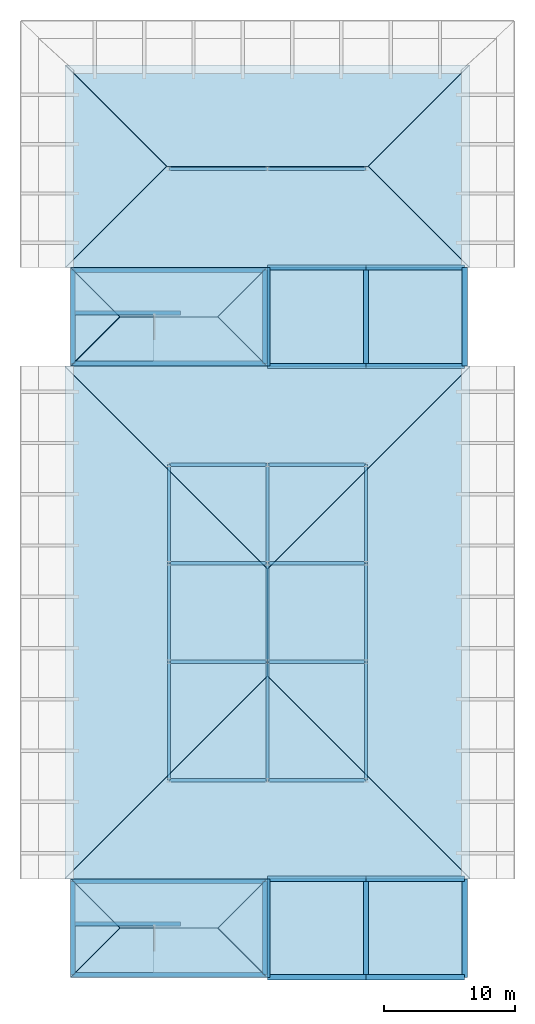
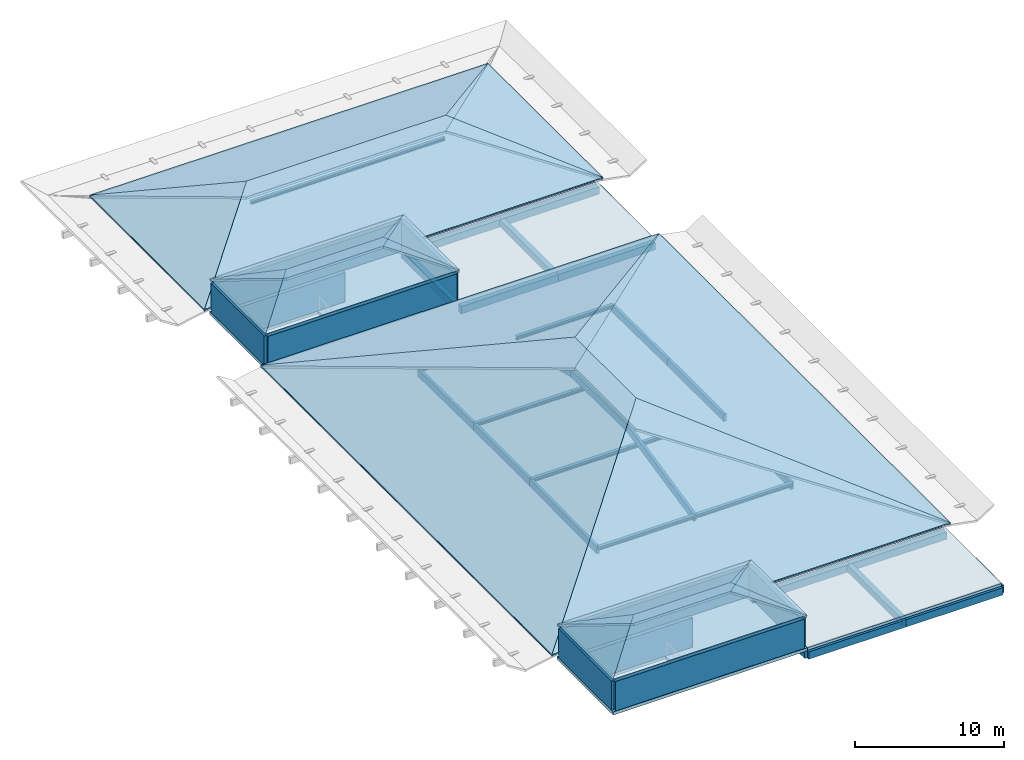
# One storey, part 3 of 4: 23 beams, 20 slabs, 16 roofs, 10 members, 10 walls, 4 elements without a shape of their own.
"""IFC4 building model written with IfcOpenShell, lengths in metres."""

from ifc_helpers import new_model, si_unit, direction, frame, frame_2d, origin, origin_2d, place, context, subcontext, project, spatial, polyline, rectangle, i_section, outline, extrude, material, layer, layer_set, material_profile, profile_set, type_object, element, aggregate, save


model = new_model("IFC4")

# Units and contexts
model_context = context("Model", 3, precision=1e-05, world=origin(), true_north=direction((0.0, 1.0)))
body_context = subcontext(model_context, "Body", "Model", "MODEL_VIEW")
ifc_project = project(units=[si_unit("LENGTHUNIT", "METRE"), si_unit("AREAUNIT", "SQUARE_METRE"), si_unit("VOLUMEUNIT", "CUBIC_METRE"), si_unit("PLANEANGLEUNIT", "RADIAN"), si_unit("MASSUNIT", "GRAM", prefix="KILO")], contexts=[model_context])

# Site, building, storey
site_placement = place(None, origin())
site = spatial("IfcSite", under=ifc_project, at=site_placement, CompositionType="ELEMENT")
building_placement = place(site_placement, origin())
building = spatial("IfcBuilding", under=site, at=building_placement, Name="Dalvernix Boulevard General Hospital", CompositionType="ELEMENT")
storey_placement = place(building_placement, frame((0.0, 0.0, 34.050048828125)))
storey = spatial("IfcBuildingStorey", under=building, at=storey_placement, Name="RF", CompositionType="ELEMENT", Elevation=34.050048828125)

# Beams
ifc_material_1 = material(Name="Concrete C35/45", Category="concrete")
ifc_material_profile_1 = material_profile(ifc_material_1, rectangle(XDim=0.39990234375, YDim=0.550048828125, at=origin_2d()), Name="RCB 400x550")
ifc_profile_set_1 = profile_set([ifc_material_profile_1], Name="Concrete C35/45")
beam_type_1 = type_object("IfcBeamType", Name="BM-B-06-I", PredefinedType="BEAM", material=ifc_profile_set_1)
for number, where, z_axis, x_axis, name in (
    (1, (22.5, 7.5, -0.4951171875), (0.0, 1.0, 0.0), (-1.0, 0.0, 0.0), "RF N-S girder 4:B-C"),
    (2, (22.5, 54.0, -0.4951171875), (0.0, 1.0, 0.0), (-1.0, 0.0, 0.0), "RF N-S girder 4:H-J"),
):
    element("IfcBeam", number, at=place(storey_placement, frame(where, z_axis=z_axis, x_axis=x_axis)), inside=storey, type_object=beam_type_1, Name=name, PredefinedType="BEAM", context=body_context, shape_type="SweptSolid", body=[
        extrude(rectangle(XDim=0.39990234375, YDim=0.550048828125, at=origin_2d()), origin(), (0.0, 0.0, 1.0), 7.5),
    ])
ifc_material_2 = material(Name="Glulam GL28h", Category="wood")
ifc_material_profile_2 = material_profile(ifc_material_2, rectangle(XDim=0.219970703125, YDim=0.60009765625, at=origin_2d()), Name="GL28h 220x600")
ifc_profile_set_2 = profile_set([ifc_material_profile_2], Name="Glulam GL28h")
beam_type_2 = type_object("IfcBeamType", Name="BM-GB-T2", PredefinedType="JOIST", material=ifc_profile_set_2)
beam_1_placement = place(storey_placement, frame((7.5, 22.5, 1.51171875), z_axis=(0.0, 0.999940250227, 0.010931421464), x_axis=(-1.0, 0.0, 0.0)))
element("IfcBeam", 3, at=beam_1_placement, inside=storey, type_object=beam_type_2, Name="V4-MID pitched glulam rafter 2:D-E", PredefinedType="JOIST", context=body_context, shape_type="SweptSolid", body=[
    extrude(rectangle(XDim=0.219970703125, YDim=0.60009765625, at=origin_2d()), origin(), (0.0, 0.0, 1.0), 9.00048828125),
])
beam_2_placement = place(storey_placement, frame((7.5, 31.5, 1.610107421875), z_axis=(0.0, 1.0, 0.0), x_axis=(-1.0, 0.0, 0.0)))
element("IfcBeam", 4, at=beam_2_placement, inside=storey, type_object=beam_type_2, Name="V4-MID pitched glulam rafter 2:E-F", PredefinedType="JOIST", context=body_context, shape_type="SweptSolid", body=[
    extrude(rectangle(XDim=0.219970703125, YDim=0.60009765625, at=origin_2d()), origin(), (0.0, 0.0, 1.0), 7.5),
])
beam_3_placement = place(storey_placement, frame((7.5, 39.0, 1.610107421875), z_axis=(0.0, 0.99991396372, -0.013117360917), x_axis=(-1.0, 0.0, 0.0)))
element("IfcBeam", 5, at=beam_3_placement, inside=storey, type_object=beam_type_2, Name="V4-MID pitched glulam rafter 2:F-G", PredefinedType="JOIST", context=body_context, shape_type="SweptSolid", body=[
    extrude(rectangle(XDim=0.219970703125, YDim=0.60009765625, at=origin_2d()), origin(), (0.0, 0.0, 1.0), 7.500732421875),
])
beam_4_placement = place(storey_placement, frame((15.0, 22.5, 1.51171875), z_axis=(0.0, 0.977537758083, 0.21076036516), x_axis=(-1.0, 0.0, 0.0)))
element("IfcBeam", 6, at=beam_4_placement, inside=storey, type_object=beam_type_2, Name="V4-MID pitched glulam rafter 3:D-E", PredefinedType="JOIST", context=body_context, shape_type="SweptSolid", body=[
    extrude(rectangle(XDim=0.219970703125, YDim=0.60009765625, at=origin_2d()), origin(), (0.0, 0.0, 1.0), 9.206787109375),
])
beam_5_placement = place(storey_placement, frame((15.0, 31.5, 3.4521484375), z_axis=(0.0, 0.999914390115, -0.013084817214), x_axis=(-1.0, 0.0, 0.0)))
element("IfcBeam", 7, at=beam_5_placement, inside=storey, type_object=beam_type_2, Name="V4-MID pitched glulam rafter 3:E-F", PredefinedType="JOIST", context=body_context, shape_type="SweptSolid", body=[
    extrude(rectangle(XDim=0.219970703125, YDim=0.60009765625, at=origin_2d()), origin(), (0.0, 0.0, 1.0), 7.500732421875),
])
beam_6_placement = place(storey_placement, frame((15.0, 39.0, 3.35400390625), z_axis=(0.0, 0.971131026357, -0.238546703284), x_axis=(-1.0, 0.0, 0.0)))
element("IfcBeam", 8, at=beam_6_placement, inside=storey, type_object=beam_type_2, Name="V4-MID pitched glulam rafter 3:F-G", PredefinedType="JOIST", context=body_context, shape_type="SweptSolid", body=[
    extrude(rectangle(XDim=0.219970703125, YDim=0.60009765625, at=origin_2d()), origin(), (0.0, 0.0, 1.0), 7.722900390625),
])
beam_7_placement = place(storey_placement, frame((22.5, 22.5, 1.51171875), z_axis=(0.0, 0.999940250227, 0.010931421464), x_axis=(-1.0, 0.0, 0.0)))
element("IfcBeam", 9, at=beam_7_placement, inside=storey, type_object=beam_type_2, Name="V4-MID pitched glulam rafter 4:D-E", PredefinedType="JOIST", context=body_context, shape_type="SweptSolid", body=[
    extrude(rectangle(XDim=0.219970703125, YDim=0.60009765625, at=origin_2d()), origin(), (0.0, 0.0, 1.0), 9.00048828125),
])
beam_8_placement = place(storey_placement, frame((22.5, 31.5, 1.610107421875), z_axis=(0.0, 1.0, 0.0), x_axis=(-1.0, 0.0, 0.0)))
element("IfcBeam", 10, at=beam_8_placement, inside=storey, type_object=beam_type_2, Name="V4-MID pitched glulam rafter 4:E-F", PredefinedType="JOIST", context=body_context, shape_type="SweptSolid", body=[
    extrude(rectangle(XDim=0.219970703125, YDim=0.60009765625, at=origin_2d()), origin(), (0.0, 0.0, 1.0), 7.5),
])
beam_9_placement = place(storey_placement, frame((22.5, 39.0, 1.610107421875), z_axis=(0.0, 0.99991396372, -0.013117360917), x_axis=(-1.0, 0.0, 0.0)))
element("IfcBeam", 11, at=beam_9_placement, inside=storey, type_object=beam_type_2, Name="V4-MID pitched glulam rafter 4:F-G", PredefinedType="JOIST", context=body_context, shape_type="SweptSolid", body=[
    extrude(rectangle(XDim=0.219970703125, YDim=0.60009765625, at=origin_2d()), origin(), (0.0, 0.0, 1.0), 7.500732421875),
])
ifc_material_profile_3 = material_profile(ifc_material_1, rectangle(XDim=0.39990234375, YDim=0.60009765625, at=origin_2d()), Name="RCB 400x600")
ifc_profile_set_3 = profile_set([ifc_material_profile_3], Name="Concrete C35/45")
beam_type_3 = type_object("IfcBeamType", Name="BM-SB-02-E", PredefinedType="SPANDREL", material=ifc_profile_set_3)
for number, where, z_axis, x_axis, name in (
    (12, (15.0, 7.5, -0.52001953125), (1.0, 0.0, 0.0), (0.0, 1.0, 0.0), "RF E-W girder B:3-4"),
    (13, (22.5, 7.5, -0.52001953125), (1.0, 0.0, 0.0), (0.0, 1.0, 0.0), "RF E-W girder B:4-5"),
    (14, (15.0, 15.0, -0.52001953125), (1.0, 0.0, 0.0), (0.0, 1.0, 0.0), "RF E-W girder C:3-4"),
    (15, (22.5, 15.0, -0.52001953125), (1.0, 0.0, 0.0), (0.0, 1.0, 0.0), "RF E-W girder C:4-5"),
    (16, (15.0, 54.0, -0.52001953125), (1.0, 0.0, 0.0), (0.0, 1.0, 0.0), "RF E-W girder H:3-4"),
    (17, (22.5, 54.0, -0.52001953125), (1.0, 0.0, 0.0), (0.0, 1.0, 0.0), "RF E-W girder H:4-5"),
    (18, (15.0, 61.5, -0.52001953125), (1.0, 0.0, 0.0), (0.0, 1.0, 0.0), "RF E-W girder J:3-4"),
    (19, (22.5, 61.5, -0.52001953125), (1.0, 0.0, 0.0), (0.0, 1.0, 0.0), "RF E-W girder J:4-5"),
    (20, (15.0, 7.5, -0.52001953125), (0.0, 1.0, 0.0), (-1.0, 0.0, 0.0), "RF N-S girder 3:B-C"),
    (21, (15.0, 54.0, -0.52001953125), (0.0, 1.0, 0.0), (-1.0, 0.0, 0.0), "RF N-S girder 3:H-J"),
    (22, (30.0, 7.5, -0.52001953125), (0.0, 1.0, 0.0), (-1.0, 0.0, 0.0), "RF N-S girder 5:B-C"),
    (23, (30.0, 54.0, -0.52001953125), (0.0, 1.0, 0.0), (-1.0, 0.0, 0.0), "RF N-S girder 5:H-J"),
):
    element("IfcBeam", number, at=place(storey_placement, frame(where, z_axis=z_axis, x_axis=x_axis)), inside=storey, type_object=beam_type_3, Name=name, PredefinedType="SPANDREL", context=body_context, shape_type="SweptSolid", body=[
        extrude(rectangle(XDim=0.39990234375, YDim=0.60009765625, at=origin_2d()), origin(), (0.0, 0.0, 1.0), 7.5),
    ])

# Members
ifc_material_3 = material(Name="Steel S355", Category="steel")
ifc_material_profile_4 = material_profile(ifc_material_3, i_section(OverallWidth=0.280029296875, OverallDepth=0.280029296875, WebThickness=0.010498046875, FlangeThickness=0.01806640625, FilletRadius=0.02392578125, at=origin_2d()), Name="HEB 280")
ifc_profile_set_4 = profile_set([ifc_material_profile_4], Name="Steel S355")
member_type_1 = type_object("IfcMemberType", Name="MEM-PR-08", PredefinedType="PURLIN", material=ifc_profile_set_4)
for number, where, z_axis, x_axis, name in (
    (24, (7.5, 22.5, 1.681640625), (1.0, 0.0, 0.0), (0.0, 1.0, 0.0), "V4-MID attic purlin 2-3:D"),
    (25, (7.5, 31.5, 1.780029296875), (1.0, 0.0, 0.0), (0.0, 1.0, 0.0), "V4-MID attic purlin 2-3:E"),
    (26, (7.5, 39.0, 1.780029296875), (1.0, 0.0, 0.0), (0.0, 1.0, 0.0), "V4-MID attic purlin 2-3:F"),
    (27, (7.5, 46.5, 1.681640625), (1.0, 0.0, 0.0), (0.0, 1.0, 0.0), "V4-MID attic purlin 2-3:G"),
    (28, (15.0, 22.5, 1.681640625), (1.0, 0.0, 0.0), (0.0, 1.0, 0.0), "V4-MID attic purlin 3-4:D"),
    (29, (15.0, 31.5, 1.780029296875), (1.0, 0.0, 0.0), (0.0, 1.0, 0.0), "V4-MID attic purlin 3-4:E"),
    (30, (15.0, 39.0, 1.780029296875), (1.0, 0.0, 0.0), (0.0, 1.0, 0.0), "V4-MID attic purlin 3-4:F"),
    (31, (15.0, 46.5, 1.681640625), (1.0, 0.0, 0.0), (0.0, 1.0, 0.0), "V4-MID attic purlin 3-4:G"),
):
    element("IfcMember", number, at=place(storey_placement, frame(where, z_axis=z_axis, x_axis=x_axis)), inside=storey, type_object=member_type_1, Name=name, PredefinedType="PURLIN", context=body_context, shape_type="SweptSolid", body=[
        extrude(i_section(OverallWidth=0.280029296875, OverallDepth=0.280029296875, WebThickness=0.010498046875, FlangeThickness=0.01806640625, FilletRadius=0.02392578125, at=origin_2d()), origin(), (0.0, 0.0, 1.0), 7.5),
    ])
ifc_material_profile_5 = material_profile(ifc_material_3, i_section(OverallWidth=0.239990234375, OverallDepth=0.22998046875, WebThickness=0.007568359375, FlangeThickness=0.011962890625, FilletRadius=0.02099609375, at=origin_2d()), Name="HEA 240")
ifc_profile_set_5 = profile_set([ifc_material_profile_5], Name="Steel S355")
member_type_2 = type_object("IfcMemberType", Name="MEM-PR-09", PredefinedType="PURLIN", material=ifc_profile_set_5)
for number, where, z_axis, x_axis, name in (
    (32, (7.5, 69.0, 1.706787109375), (1.0, 0.0, 0.0), (0.0, 1.0, 0.0), "V4-NTH attic purlin 2-3:K"),
    (33, (15.0, 69.0, 1.706787109375), (1.0, 0.0, 0.0), (0.0, 1.0, 0.0), "V4-NTH attic purlin 3-4:K"),
):
    element("IfcMember", number, at=place(storey_placement, frame(where, z_axis=z_axis, x_axis=x_axis)), inside=storey, type_object=member_type_2, Name=name, PredefinedType="PURLIN", context=body_context, shape_type="SweptSolid", body=[
        extrude(i_section(OverallWidth=0.239990234375, OverallDepth=0.22998046875, WebThickness=0.007568359375, FlangeThickness=0.011962890625, FilletRadius=0.02099609375, at=origin_2d()), origin(), (0.0, 0.0, 1.0), 7.5),
    ])

# Slabs
ifc_layer_1 = layer(ifc_material_1, 0.25)
ifc_layer_set_1 = layer_set([ifc_layer_1], Name="Concrete C35/45 (SLB-LS-02)")
slab_type_1 = type_object("IfcSlabType", Name="SLB-LS-02", PredefinedType="LANDING", material=ifc_layer_set_1)
slab_1_placement = place(storey_placement, frame((0.0, 0.0, -0.25)))
element("IfcSlab", 34, at=slab_1_placement, inside=storey, type_object=slab_type_1, Name="RF Core C1 stair arrival landing slab", PredefinedType="LANDING", context=body_context, shape_type="SweptSolid", body=[
    extrude(outline(polyline([(0.0, 7.5), (0.0, 15.0), (15.0, 15.0), (15.0, 7.5), (0.0, 7.5)]), holes=[polyline([(6.2900390625, 11.39990234375), (0.39990234375, 11.39990234375), (0.39990234375, 7.89990234375), (6.2900390625, 7.89990234375), (6.2900390625, 11.39990234375)])]), origin(), (0.0, 0.0, 1.0), 0.25),
])
slab_2_placement = place(storey_placement, frame((0.0, 0.0, -0.25)))
element("IfcSlab", 35, at=slab_2_placement, inside=storey, type_object=slab_type_1, Name="RF Core C2 stair arrival landing slab", PredefinedType="LANDING", context=body_context, shape_type="SweptSolid", body=[
    extrude(outline(polyline([(0.0, 54.0), (0.0, 61.5), (15.0, 61.5), (15.0, 54.0), (0.0, 54.0)]), holes=[polyline([(6.2900390625, 57.89990234375), (0.39990234375, 57.89990234375), (0.39990234375, 54.39990234375), (6.2900390625, 54.39990234375), (6.2900390625, 57.89990234375)])]), origin(), (0.0, 0.0, 1.0), 0.25),
])
ifc_layer_2 = layer(ifc_material_1, 0.219970703125)
ifc_layer_set_2 = layer_set([ifc_layer_2], Name="Concrete C35/45 (SLB-RS-01)")
slab_type_2 = type_object("IfcSlabType", Name="SLB-RS-01", PredefinedType="ROOF", material=ifc_layer_set_2)
slab_3_placement = place(storey_placement, frame((0.0, 0.0, -0.219970703125)))
element("IfcSlab", 36, at=slab_3_placement, inside=storey, type_object=slab_type_2, Name="RF ward roof slab 1", PredefinedType="ROOF", context=body_context, shape_type="SweptSolid", body=[
    extrude(outline(polyline([(15.0, 15.0), (22.5, 15.0), (30.0, 15.0), (30.0, 7.5), (22.5, 7.5), (15.0, 7.5), (15.0, 15.0)])), origin(), (0.0, 0.0, 1.0), 0.219970703125),
])
slab_4_placement = place(storey_placement, frame((0.0, 0.0, -0.219970703125)))
element("IfcSlab", 37, at=slab_4_placement, inside=storey, type_object=slab_type_2, Name="RF ward roof slab 2", PredefinedType="ROOF", context=body_context, shape_type="SweptSolid", body=[
    extrude(outline(polyline([(15.0, 61.5), (22.5, 61.5), (30.0, 61.5), (30.0, 54.0), (22.5, 54.0), (15.0, 54.0), (15.0, 61.5)])), origin(), (0.0, 0.0, 1.0), 0.219970703125),
])

# Roof, slabs
ifc_material_4 = material(Name="Polychrome Catalan glazed terracotta tile roof system", Category="masonry")
roof_type_1 = type_object("IfcRoofType", Name="ROOF-HIP-01", PredefinedType="HIP_ROOF", material=ifc_material_4)
roof_1_placement = place(storey_placement, origin())
roof_1 = element("IfcRoof", 38, at=roof_1_placement, inside=storey, type_object=roof_type_1, Name="V4-MID Hipped Ceramic Roof", PredefinedType="HIP_ROOF")
ifc_layer_3 = layer(ifc_material_1, 0.179931640625)
ifc_layer_set_3 = layer_set([ifc_layer_3], Name="Concrete C35/45 (SLB-RS-03)")
slab_type_3 = type_object("IfcSlabType", Name="SLB-RS-03", PredefinedType="ROOF", material=ifc_layer_set_3)
slab_5_placement = place(storey_placement, frame((-0.39990234375, 54.0, 0.219970703125), z_axis=(-0.238527027903, 0.0, 0.971135859167), x_axis=(0.0, -1.0, 0.0)))
slab_5 = element("IfcSlab", 39, at=slab_5_placement, type_object=slab_type_3, Name="V4-MID hipped roof slab W", PredefinedType="ROOF", context=body_context, shape_type="SweptSolid", body=[
    extrude(outline(polyline([(0.0, 0.0), (39.0, 0.0), (23.60009765625, 15.857618888630023), (15.39990234375, 15.857618888630023), (0.0, 0.0)])), origin(), (0.0, 0.0, -1.0), 0.179931640625),
])
slab_6_placement = place(storey_placement, frame((30.39990234375, 15.0, 0.219970703125), z_axis=(0.238527027903, 0.0, 0.971135859167), x_axis=(0.0, 1.0, 0.0)))
slab_6 = element("IfcSlab", 40, at=slab_6_placement, type_object=slab_type_3, Name="V4-MID hipped roof slab E", PredefinedType="ROOF", context=body_context, shape_type="SweptSolid", body=[
    extrude(outline(polyline([(0.0, 0.0), (39.0, 0.0), (23.60009765625, 15.857618888630023), (15.39990234375, 15.857618888630023), (0.0, 0.0)])), origin(), (0.0, 0.0, -1.0), 0.179931640625),
])
slab_7_placement = place(storey_placement, frame((-0.39990234375, 15.0, 0.219970703125), z_axis=(0.0, -0.238527027903, 0.971135859167), x_axis=(1.0, 0.0, 0.0)))
slab_7 = element("IfcSlab", 41, at=slab_7_placement, type_object=slab_type_3, Name="V4-MID hipped roof slab S", PredefinedType="ROOF", context=body_context, shape_type="SweptSolid", body=[
    extrude(outline(polyline([(0.0, 0.0), (30.7998046875, 0.0), (15.39990234375, 15.857618888630022), (0.0, 0.0)])), origin(), (0.0, 0.0, -1.0), 0.179931640625),
])
slab_8_placement = place(storey_placement, frame((30.39990234375, 54.0, 0.219970703125), z_axis=(0.0, 0.238527027903, 0.971135859167), x_axis=(-1.0, 0.0, 0.0)))
slab_8 = element("IfcSlab", 42, at=slab_8_placement, type_object=slab_type_3, Name="V4-MID hipped roof slab N", PredefinedType="ROOF", context=body_context, shape_type="SweptSolid", body=[
    extrude(outline(polyline([(0.0, 0.0), (30.7998046875, 0.0), (15.39990234375, 15.857618888630022), (0.0, 0.0)])), origin(), (0.0, 0.0, -1.0), 0.179931640625),
])
aggregate(roof_1, [slab_5, slab_6, slab_7, slab_8])

roof_2_placement = place(storey_placement, origin())
roof_2 = element("IfcRoof", 43, at=roof_2_placement, inside=storey, type_object=roof_type_1, Name="V4-NTH Hipped Ceramic Roof", PredefinedType="HIP_ROOF")
slab_9_placement = place(storey_placement, frame((-0.39990234375, 61.5, 0.219970703125), z_axis=(0.0, -0.238541547671, 0.971132292757), x_axis=(1.0, 0.0, 0.0)))
slab_9 = element("IfcSlab", 44, at=slab_9_placement, type_object=slab_type_3, Name="V4-NTH hipped roof slab S", PredefinedType="ROOF", context=body_context, shape_type="SweptSolid", body=[
    extrude(outline(polyline([(0.0, 0.0), (30.7998046875, 0.0), (23.099853515625, 7.928838562270065), (7.699951171875, 7.928838562270065), (0.0, 0.0)])), origin(), (0.0, 0.0, -1.0), 0.179931640625),
])
slab_10_placement = place(storey_placement, frame((30.39990234375, 76.89990234375, 0.219970703125), z_axis=(0.0, 0.238541547671, 0.971132292757), x_axis=(-1.0, 0.0, 0.0)))
slab_10 = element("IfcSlab", 45, at=slab_10_placement, type_object=slab_type_3, Name="V4-NTH hipped roof slab N", PredefinedType="ROOF", context=body_context, shape_type="SweptSolid", body=[
    extrude(outline(polyline([(0.0, 0.0), (30.7998046875, 0.0), (23.099853515625, 7.928838562270065), (7.699951171875, 7.928838562270065), (0.0, 0.0)])), origin(), (0.0, 0.0, -1.0), 0.179931640625),
])
slab_11_placement = place(storey_placement, frame((-0.39990234375, 76.89990234375, 0.219970703125), z_axis=(-0.238541547671, 0.0, 0.971132292757), x_axis=(0.0, -1.0, 0.0)))
slab_11 = element("IfcSlab", 46, at=slab_11_placement, type_object=slab_type_3, Name="V4-NTH hipped roof slab W", PredefinedType="ROOF", context=body_context, shape_type="SweptSolid", body=[
    extrude(outline(polyline([(0.0, 0.0), (15.39990234375, 0.0), (7.699951171875, 7.928838562270065), (0.0, 0.0)])), origin(), (0.0, 0.0, -1.0), 0.179931640625),
])
slab_12_placement = place(storey_placement, frame((30.39990234375, 61.5, 0.219970703125), z_axis=(0.238541547671, 0.0, 0.971132292757), x_axis=(0.0, 1.0, 0.0)))
slab_12 = element("IfcSlab", 47, at=slab_12_placement, type_object=slab_type_3, Name="V4-NTH hipped roof slab E", PredefinedType="ROOF", context=body_context, shape_type="SweptSolid", body=[
    extrude(outline(polyline([(0.0, 0.0), (15.39990234375, 0.0), (7.699951171875, 7.928838562270065), (0.0, 0.0)])), origin(), (0.0, 0.0, -1.0), 0.179931640625),
])
aggregate(roof_2, [slab_9, slab_10, slab_11, slab_12])

roof_3_placement = place(storey_placement, origin())
roof_3 = element("IfcRoof", 48, at=roof_3_placement, inside=storey, type_object=roof_type_1, Name="V4-HHC1 Hipped Ceramic Roof", PredefinedType="HIP_ROOF")
slab_13_placement = place(storey_placement, frame((0.0, 7.5, 2.619873046875), z_axis=(0.0, -0.265564933638, 0.964092975818), x_axis=(1.0, 0.0, 0.0)))
slab_13 = element("IfcSlab", 49, at=slab_13_placement, type_object=slab_type_3, Name="V4-HHC1 hipped roof slab S", PredefinedType="ROOF", context=body_context, shape_type="SweptSolid", body=[
    extrude(outline(polyline([(0.0, 0.0), (15.0, 0.0), (11.25, 3.8896663434542855), (3.75, 3.8896663434542855), (0.0, 0.0)])), origin(), (0.0, 0.0, -1.0), 0.179931640625),
])
slab_14_placement = place(storey_placement, frame((15.0, 15.0, 2.619873046875), z_axis=(0.0, 0.265564933638, 0.964092975818), x_axis=(-1.0, 0.0, 0.0)))
slab_14 = element("IfcSlab", 50, at=slab_14_placement, type_object=slab_type_3, Name="V4-HHC1 hipped roof slab N", PredefinedType="ROOF", context=body_context, shape_type="SweptSolid", body=[
    extrude(outline(polyline([(0.0, 0.0), (15.0, 0.0), (11.25, 3.8896663434542855), (3.75, 3.8896663434542855), (0.0, 0.0)])), origin(), (0.0, 0.0, -1.0), 0.179931640625),
])
slab_15_placement = place(storey_placement, frame((0.0, 15.0, 2.619873046875), z_axis=(-0.265564933638, 0.0, 0.964092975818), x_axis=(0.0, -1.0, 0.0)))
slab_15 = element("IfcSlab", 51, at=slab_15_placement, type_object=slab_type_3, Name="V4-HHC1 hipped roof slab W", PredefinedType="ROOF", context=body_context, shape_type="SweptSolid", body=[
    extrude(outline(polyline([(0.0, 0.0), (7.5, 0.0), (3.75, 3.889666343454285), (0.0, 0.0)])), origin(), (0.0, 0.0, -1.0), 0.179931640625),
])
slab_16_placement = place(storey_placement, frame((15.0, 7.5, 2.619873046875), z_axis=(0.265564933638, 0.0, 0.964092975818), x_axis=(0.0, 1.0, 0.0)))
slab_16 = element("IfcSlab", 52, at=slab_16_placement, type_object=slab_type_3, Name="V4-HHC1 hipped roof slab E", PredefinedType="ROOF", context=body_context, shape_type="SweptSolid", body=[
    extrude(outline(polyline([(0.0, 0.0), (7.5, 0.0), (3.75, 3.889666343454285), (0.0, 0.0)])), origin(), (0.0, 0.0, -1.0), 0.179931640625),
])
aggregate(roof_3, [slab_13, slab_14, slab_15, slab_16])

roof_4_placement = place(storey_placement, origin())
roof_4 = element("IfcRoof", 53, at=roof_4_placement, inside=storey, type_object=roof_type_1, Name="V4-HHC2 Hipped Ceramic Roof", PredefinedType="HIP_ROOF")
slab_17_placement = place(storey_placement, frame((0.0, 54.0, 2.619873046875), z_axis=(0.0, -0.265564933638, 0.964092975818), x_axis=(1.0, 0.0, 0.0)))
slab_17 = element("IfcSlab", 54, at=slab_17_placement, type_object=slab_type_3, Name="V4-HHC2 hipped roof slab S", PredefinedType="ROOF", context=body_context, shape_type="SweptSolid", body=[
    extrude(outline(polyline([(0.0, 0.0), (15.0, 0.0), (11.25, 3.8896663434542855), (3.75, 3.8896663434542855), (0.0, 0.0)])), origin(), (0.0, 0.0, -1.0), 0.179931640625),
])
slab_18_placement = place(storey_placement, frame((15.0, 61.5, 2.619873046875), z_axis=(0.0, 0.265564933638, 0.964092975818), x_axis=(-1.0, 0.0, 0.0)))
slab_18 = element("IfcSlab", 55, at=slab_18_placement, type_object=slab_type_3, Name="V4-HHC2 hipped roof slab N", PredefinedType="ROOF", context=body_context, shape_type="SweptSolid", body=[
    extrude(outline(polyline([(0.0, 0.0), (15.0, 0.0), (11.25, 3.8896663434542855), (3.75, 3.8896663434542855), (0.0, 0.0)])), origin(), (0.0, 0.0, -1.0), 0.179931640625),
])
slab_19_placement = place(storey_placement, frame((0.0, 61.5, 2.619873046875), z_axis=(-0.265564933638, 0.0, 0.964092975818), x_axis=(0.0, -1.0, 0.0)))
slab_19 = element("IfcSlab", 56, at=slab_19_placement, type_object=slab_type_3, Name="V4-HHC2 hipped roof slab W", PredefinedType="ROOF", context=body_context, shape_type="SweptSolid", body=[
    extrude(outline(polyline([(0.0, 0.0), (7.5, 0.0), (3.75, 3.889666343454285), (0.0, 0.0)])), origin(), (0.0, 0.0, -1.0), 0.179931640625),
])
slab_20_placement = place(storey_placement, frame((15.0, 54.0, 2.619873046875), z_axis=(0.265564933638, 0.0, 0.964092975818), x_axis=(0.0, 1.0, 0.0)))
slab_20 = element("IfcSlab", 57, at=slab_20_placement, type_object=slab_type_3, Name="V4-HHC2 hipped roof slab E", PredefinedType="ROOF", context=body_context, shape_type="SweptSolid", body=[
    extrude(outline(polyline([(0.0, 0.0), (7.5, 0.0), (3.75, 3.889666343454285), (0.0, 0.0)])), origin(), (0.0, 0.0, -1.0), 0.179931640625),
])
aggregate(roof_4, [slab_17, slab_18, slab_19, slab_20])

# Walls
ifc_material_5 = material(Name="Concrete C40/50", Category="concrete")
ifc_layer_4 = layer(ifc_material_5, 0.300048828125)
ifc_layer_set_4 = layer_set([ifc_layer_4], Name="Concrete C40/50 (WAL-CSW-02)")
wall_type_1 = type_object("IfcWallType", Name="WAL-CSW-02", PredefinedType="SHEAR", material=ifc_layer_set_4)
for number, where, z_axis, x_axis, name in (
    (58, (0.35009765625, 11.550048828125, 0.0), (0.0, 0.0, 1.0), (1.0, 0.0, 0.0), "RF C1 stair headhouse spine wall"),
    (59, (0.35009765625, 58.050048828125, 0.0), (0.0, 0.0, 1.0), (1.0, 0.0, 0.0), "RF C2 stair headhouse spine wall"),
):
    element("IfcWall", number, at=place(storey_placement, frame(where, z_axis=z_axis, x_axis=x_axis)), inside=storey, type_object=wall_type_1, Name=name, PredefinedType="SHEAR", context=body_context, shape_type="SweptSolid", body=[
        extrude(rectangle(XDim=8.0498046875, YDim=0.300048828125, at=frame_2d((4.02490234375, 0.0))), origin(), (0.0, 0.0, 1.0), 2.39990234375),
    ])
ifc_layer_5 = layer(ifc_material_5, 0.35009765625)
ifc_layer_set_5 = layer_set([ifc_layer_5], Name="Concrete C40/50 (WAL-ESW-01)")
wall_type_2 = type_object("IfcWallType", Name="WAL-ESW-01", PredefinedType="SHEAR", material=ifc_layer_set_5)
for number, where, z_axis, x_axis, name in (
    (60, (0.175048828125, 7.699951171875, 0.0), (0.0, 0.0, 1.0), (0.0, 1.0, 0.0), "RF C1 stair headhouse W wall"),
    (61, (14.800048828125, 7.699951171875, 0.0), (0.0, 0.0, 1.0), (0.0, 1.0, 0.0), "RF C1 stair headhouse E wall"),
):
    element("IfcWall", number, at=place(storey_placement, frame(where, z_axis=z_axis, x_axis=x_axis)), inside=storey, type_object=wall_type_2, Name=name, PredefinedType="SHEAR", context=body_context, shape_type="SweptSolid", body=[
        extrude(rectangle(XDim=7.10009765625, YDim=0.35009765625, at=frame_2d((3.550048828125, 0.0))), origin(), (0.0, 0.0, 1.0), 2.39990234375),
    ])
for number, where, z_axis, x_axis, name in (
    (62, (0.199951171875, 7.699951171875, 0.0), (0.0, 0.0, 1.0), (1.0, 0.0, 0.0), "RF C1 stair headhouse S wall"),
    (63, (0.199951171875, 14.800048828125, 0.0), (0.0, 0.0, 1.0), (1.0, 0.0, 0.0), "RF C1 stair headhouse N wall"),
):
    element("IfcWall", number, at=place(storey_placement, frame(where, z_axis=z_axis, x_axis=x_axis)), inside=storey, type_object=wall_type_2, Name=name, PredefinedType="SHEAR", context=body_context, shape_type="SweptSolid", body=[
        extrude(rectangle(XDim=14.60009765625, YDim=0.35009765625, at=frame_2d((7.300048828125, 0.0))), origin(), (0.0, 0.0, 1.0), 2.39990234375),
    ])
for number, where, z_axis, x_axis, name in (
    (64, (0.175048828125, 54.199951171875, 0.0), (0.0, 0.0, 1.0), (0.0, 1.0, 0.0), "RF C2 stair headhouse W wall"),
    (65, (14.800048828125, 54.199951171875, 0.0), (0.0, 0.0, 1.0), (0.0, 1.0, 0.0), "RF C2 stair headhouse E wall"),
):
    element("IfcWall", number, at=place(storey_placement, frame(where, z_axis=z_axis, x_axis=x_axis)), inside=storey, type_object=wall_type_2, Name=name, PredefinedType="SHEAR", context=body_context, shape_type="SweptSolid", body=[
        extrude(rectangle(XDim=7.10009765625, YDim=0.35009765625, at=frame_2d((3.550048828125, 0.0))), origin(), (0.0, 0.0, 1.0), 2.39990234375),
    ])
for number, where, z_axis, x_axis, name in (
    (66, (0.199951171875, 54.199951171875, 0.0), (0.0, 0.0, 1.0), (1.0, 0.0, 0.0), "RF C2 stair headhouse S wall"),
    (67, (0.199951171875, 61.300048828125, 0.0), (0.0, 0.0, 1.0), (1.0, 0.0, 0.0), "RF C2 stair headhouse N wall"),
):
    element("IfcWall", number, at=place(storey_placement, frame(where, z_axis=z_axis, x_axis=x_axis)), inside=storey, type_object=wall_type_2, Name=name, PredefinedType="SHEAR", context=body_context, shape_type="SweptSolid", body=[
        extrude(rectangle(XDim=14.60009765625, YDim=0.35009765625, at=frame_2d((7.300048828125, 0.0))), origin(), (0.0, 0.0, 1.0), 2.39990234375),
    ])

# Roofs
ifc_material_6 = material(Name="Glazed Catalan terracotta roof tile on timber boarding", Category="masonry")
ifc_layer_6 = layer(ifc_material_6, 0.1201171875)
ifc_layer_set_6 = layer_set([ifc_layer_6], Name="Glazed Catalan terracotta roof tile on timber boarding (ROOF-UPT-01)")
roof_type_2 = type_object("IfcRoofType", Name="ROOF-UPT-01", PredefinedType="HIP_ROOF", material=ifc_layer_set_6)
for number, where, z_axis, x_axis, name in (
    (68, (-0.39990234375, 54.0, 0.280029296875), (-0.375602110607, 0.0, 0.926781017559), (0.0, -1.0, 0.0), "V4-MID steep Catalan terracotta hipped roof W"),
    (69, (30.39990234375, 15.0, 0.280029296875), (0.375602110607, 0.0, 0.926781017559), (0.0, 1.0, 0.0), "V4-MID steep Catalan terracotta hipped roof E"),
):
    element("IfcRoof", number, at=place(storey_placement, frame(where, z_axis=z_axis, x_axis=x_axis)), inside=storey, type_object=roof_type_2, Name=name, PredefinedType="HIP_ROOF", context=body_context, shape_type="SweptSolid", body=[
        extrude(outline(polyline([(0.0, 0.0), (39.0, 0.0), (23.60009765625, 16.61654916531728), (15.39990234375, 16.61654916531728), (0.0, 0.0)])), origin(), (0.0, 0.0, -1.0), 0.1201171875),
    ])
for number, where, z_axis, x_axis, name in (
    (70, (-0.39990234375, 15.0, 0.280029296875), (0.0, -0.375602110607, 0.926781017559), (1.0, 0.0, 0.0), "V4-MID steep Catalan terracotta hipped roof S"),
    (71, (30.39990234375, 54.0, 0.280029296875), (0.0, 0.375602110607, 0.926781017559), (-1.0, 0.0, 0.0), "V4-MID steep Catalan terracotta hipped roof N"),
):
    element("IfcRoof", number, at=place(storey_placement, frame(where, z_axis=z_axis, x_axis=x_axis)), inside=storey, type_object=roof_type_2, Name=name, PredefinedType="HIP_ROOF", context=body_context, shape_type="SweptSolid", body=[
        extrude(outline(polyline([(0.0, 0.0), (30.7998046875, 0.0), (15.39990234375, 16.61654916531728), (0.0, 0.0)])), origin(), (0.0, 0.0, -1.0), 0.1201171875),
    ])
for number, where, z_axis, x_axis, name in (
    (72, (-0.39990234375, 61.5, 0.280029296875), (0.0, -0.375602110607, 0.926781017559), (1.0, 0.0, 0.0), "V4-NTH steep Catalan terracotta hipped roof S"),
    (73, (30.39990234375, 76.89990234375, 0.280029296875), (0.0, 0.375602110607, 0.926781017559), (-1.0, 0.0, 0.0), "V4-NTH steep Catalan terracotta hipped roof N"),
):
    element("IfcRoof", number, at=place(storey_placement, frame(where, z_axis=z_axis, x_axis=x_axis)), inside=storey, type_object=roof_type_2, Name=name, PredefinedType="HIP_ROOF", context=body_context, shape_type="SweptSolid", body=[
        extrude(outline(polyline([(0.0, 0.0), (30.7998046875, 0.0), (23.099853515625, 8.30827458265864), (7.699951171875, 8.30827458265864), (0.0, 0.0)])), origin(), (0.0, 0.0, -1.0), 0.1201171875),
    ])
for number, where, z_axis, x_axis, name in (
    (74, (-0.39990234375, 76.89990234375, 0.280029296875), (-0.375602110607, 0.0, 0.926781017559), (0.0, -1.0, 0.0), "V4-NTH steep Catalan terracotta hipped roof W"),
    (75, (30.39990234375, 61.5, 0.280029296875), (0.375602110607, 0.0, 0.926781017559), (0.0, 1.0, 0.0), "V4-NTH steep Catalan terracotta hipped roof E"),
):
    element("IfcRoof", number, at=place(storey_placement, frame(where, z_axis=z_axis, x_axis=x_axis)), inside=storey, type_object=roof_type_2, Name=name, PredefinedType="HIP_ROOF", context=body_context, shape_type="SweptSolid", body=[
        extrude(outline(polyline([(0.0, 0.0), (15.39990234375, 0.0), (7.699951171875, 8.30827458265864), (0.0, 0.0)])), origin(), (0.0, 0.0, -1.0), 0.1201171875),
    ])
for number, where, z_axis, x_axis, name in (
    (76, (0.0, 7.5, 2.679931640625), (0.0, -0.413762754075, 0.910384744677), (1.0, 0.0, 0.0), "V4-HHC1 steep Catalan terracotta hipped roof S"),
    (77, (15.0, 15.0, 2.679931640625), (0.0, 0.413762754075, 0.910384744677), (-1.0, 0.0, 0.0), "V4-HHC1 steep Catalan terracotta hipped roof N"),
):
    element("IfcRoof", number, at=place(storey_placement, frame(where, z_axis=z_axis, x_axis=x_axis)), inside=storey, type_object=roof_type_2, Name=name, PredefinedType="HIP_ROOF", context=body_context, shape_type="SweptSolid", body=[
        extrude(outline(polyline([(0.0, 0.0), (15.0, 0.0), (11.25, 4.119137564558952), (3.75, 4.119137564558952), (0.0, 0.0)])), origin(), (0.0, 0.0, -1.0), 0.1201171875),
    ])
for number, where, z_axis, x_axis, name in (
    (78, (0.0, 15.0, 2.679931640625), (-0.413762754075, 0.0, 0.910384744677), (0.0, -1.0, 0.0), "V4-HHC1 steep Catalan terracotta hipped roof W"),
    (79, (15.0, 7.5, 2.679931640625), (0.413762754075, 0.0, 0.910384744677), (0.0, 1.0, 0.0), "V4-HHC1 steep Catalan terracotta hipped roof E"),
):
    element("IfcRoof", number, at=place(storey_placement, frame(where, z_axis=z_axis, x_axis=x_axis)), inside=storey, type_object=roof_type_2, Name=name, PredefinedType="HIP_ROOF", context=body_context, shape_type="SweptSolid", body=[
        extrude(outline(polyline([(0.0, 0.0), (7.5, 0.0), (3.75, 4.119137564558952), (0.0, 0.0)])), origin(), (0.0, 0.0, -1.0), 0.1201171875),
    ])
for number, where, z_axis, x_axis, name in (
    (80, (0.0, 54.0, 2.679931640625), (0.0, -0.413762754075, 0.910384744677), (1.0, 0.0, 0.0), "V4-HHC2 steep Catalan terracotta hipped roof S"),
    (81, (15.0, 61.5, 2.679931640625), (0.0, 0.413762754075, 0.910384744677), (-1.0, 0.0, 0.0), "V4-HHC2 steep Catalan terracotta hipped roof N"),
):
    element("IfcRoof", number, at=place(storey_placement, frame(where, z_axis=z_axis, x_axis=x_axis)), inside=storey, type_object=roof_type_2, Name=name, PredefinedType="HIP_ROOF", context=body_context, shape_type="SweptSolid", body=[
        extrude(outline(polyline([(0.0, 0.0), (15.0, 0.0), (11.25, 4.119137564558952), (3.75, 4.119137564558952), (0.0, 0.0)])), origin(), (0.0, 0.0, -1.0), 0.1201171875),
    ])
for number, where, z_axis, x_axis, name in (
    (82, (0.0, 61.5, 2.679931640625), (-0.413762754075, 0.0, 0.910384744677), (0.0, -1.0, 0.0), "V4-HHC2 steep Catalan terracotta hipped roof W"),
    (83, (15.0, 54.0, 2.679931640625), (0.413762754075, 0.0, 0.910384744677), (0.0, 1.0, 0.0), "V4-HHC2 steep Catalan terracotta hipped roof E"),
):
    element("IfcRoof", number, at=place(storey_placement, frame(where, z_axis=z_axis, x_axis=x_axis)), inside=storey, type_object=roof_type_2, Name=name, PredefinedType="HIP_ROOF", context=body_context, shape_type="SweptSolid", body=[
        extrude(outline(polyline([(0.0, 0.0), (7.5, 0.0), (3.75, 4.119137564558952), (0.0, 0.0)])), origin(), (0.0, 0.0, -1.0), 0.1201171875),
    ])

save(model, "model.ifc")
